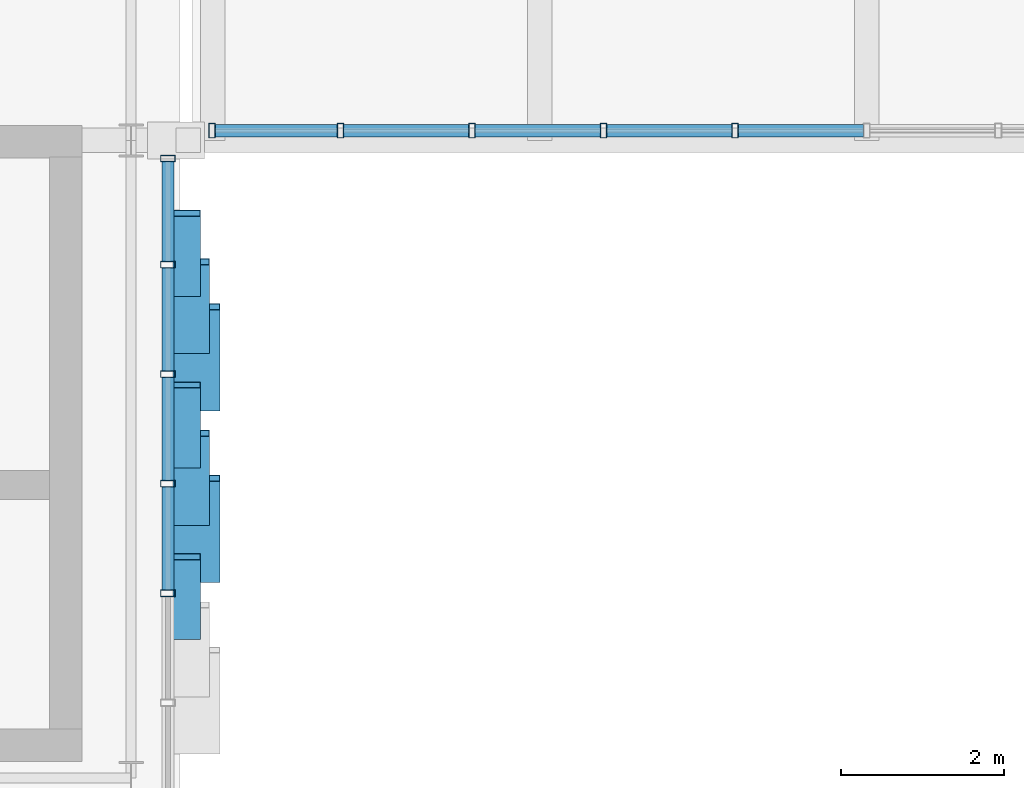
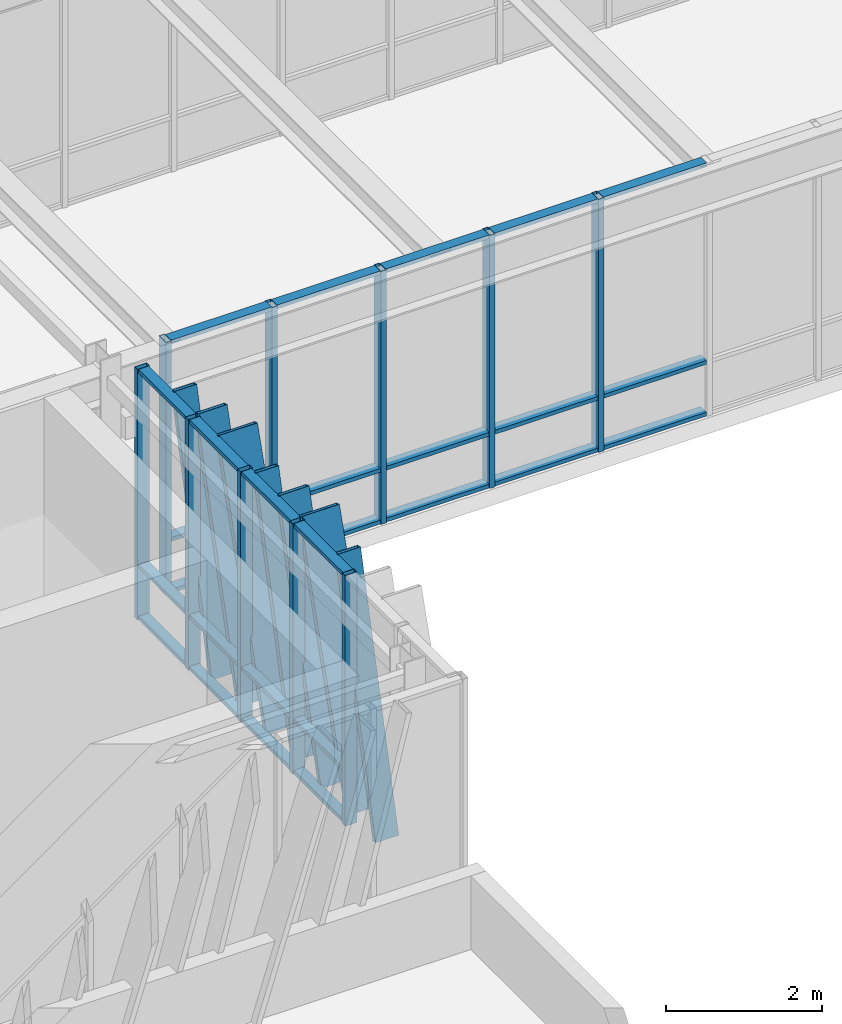
# One storey, part 54 of 127: 44 members, 2 elements without a shape of their own.
"""IFC4 building model written with IfcOpenShell, lengths in metres."""

from ifc_helpers import new_model, si_unit, direction, frame, origin, origin_2d, place, context, subcontext, project, spatial, hollow_rectangle, extrude, material, layer, layer_set, material_profile, profile_set, type_object, element, aggregate, save


model = new_model("IFC4")

# Units and contexts
model_context = context("Model", 3, precision=1e-05, world=origin(), true_north=direction((0.0, 1.0)))
body_context = subcontext(model_context, "Body", "Model", "MODEL_VIEW")
ifc_project = project(units=[si_unit("LENGTHUNIT", "METRE"), si_unit("AREAUNIT", "SQUARE_METRE"), si_unit("VOLUMEUNIT", "CUBIC_METRE"), si_unit("PLANEANGLEUNIT", "RADIAN"), si_unit("MASSUNIT", "GRAM", prefix="KILO")], contexts=[model_context])

# Site, building, storey
site_placement = place(None, origin())
site = spatial("IfcSite", under=ifc_project, at=site_placement, CompositionType="ELEMENT")
building_placement = place(site_placement, origin())
building = spatial("IfcBuilding", under=site, at=building_placement, Name="Zayran Congress Hotel", CompositionType="ELEMENT")
storey_placement = place(building_placement, frame((0.0, 0.0, 10.800048828125)))
storey = spatial("IfcBuildingStorey", under=building, at=storey_placement, Name="L02", CompositionType="ELEMENT", Elevation=10.800048828125)

# Curtain wall, members
ifc_material_1 = material(Name="Anodised aluminium and low-E insulated glass", Category="aluminium")
ifc_layer_1 = layer(ifc_material_1, 0.179931640625)
ifc_layer_set_1 = layer_set([ifc_layer_1], Name="Anodised aluminium and low-E insulated glass")
curtain_wall_type_1 = type_object("IfcCurtainWallType", Name="CW-V1E-L02-CW-41-8040-3920", PredefinedType="USERDEFINED", material=ifc_layer_set_1)
curtain_wall_1_placement = place(storey_placement, origin())
curtain_wall_1 = element("IfcCurtainWall", 1, at=curtain_wall_1_placement, inside=storey, type_object=curtain_wall_type_1, Name="CW-V1E-L02-0", ObjectType="CURTAIN WALL", PredefinedType="USERDEFINED")
ifc_material_2 = material(Name="Anodised aluminium framing", Category="aluminium")
ifc_material_profile_1 = material_profile(ifc_material_2, hollow_rectangle(XDim=0.080078125, YDim=0.179931640625, WallThickness=0.0048828125, at=origin_2d()), Name="RHS 180x80x5")
ifc_profile_set_1 = profile_set([ifc_material_profile_1], Name="Anodised aluminium framing")
member_type_1 = type_object("IfcMemberType", Name="TP-CWM-01", PredefinedType="MULLION", material=ifc_profile_set_1)
member_1_placement = place(storey_placement, frame((92.25, 70.4599609375, 0.0), z_axis=(0.0, 0.0, 1.0), x_axis=(0.0, 1.0, 0.0)))
member_1 = element("IfcMember", 2, at=member_1_placement, type_object=member_type_1, Name="CW-V1E-L02-0-M02", PredefinedType="MULLION", context=body_context, shape_type="SweptSolid", body=[
    extrude(hollow_rectangle(XDim=0.080078125, YDim=0.179931640625, WallThickness=0.0048828125, at=origin_2d()), origin(), (0.0, 0.0, 1.0), 3.919921875),
])
member_2_placement = place(storey_placement, frame((92.25, 71.800048828125, 0.0), z_axis=(0.0, 0.0, 1.0), x_axis=(0.0, 1.0, 0.0)))
member_2 = element("IfcMember", 3, at=member_2_placement, type_object=member_type_1, Name="CW-V1E-L02-0-M03", PredefinedType="MULLION", context=body_context, shape_type="SweptSolid", body=[
    extrude(hollow_rectangle(XDim=0.080078125, YDim=0.179931640625, WallThickness=0.0048828125, at=origin_2d()), origin(), (0.0, 0.0, 1.0), 3.919921875),
])
member_3_placement = place(storey_placement, frame((92.25, 73.139892578125, 0.0), z_axis=(0.0, 0.0, 1.0), x_axis=(0.0, 1.0, 0.0)))
member_3 = element("IfcMember", 4, at=member_3_placement, type_object=member_type_1, Name="CW-V1E-L02-0-M04", PredefinedType="MULLION", context=body_context, shape_type="SweptSolid", body=[
    extrude(hollow_rectangle(XDim=0.080078125, YDim=0.179931640625, WallThickness=0.0048828125, at=origin_2d()), origin(), (0.0, 0.0, 1.0), 3.919921875),
])
member_4_placement = place(storey_placement, frame((92.25, 74.47998046875, 0.0), z_axis=(0.0, 0.0, 1.0), x_axis=(0.0, 1.0, 0.0)))
member_4 = element("IfcMember", 5, at=member_4_placement, type_object=member_type_1, Name="CW-V1E-L02-0-M05", PredefinedType="MULLION", context=body_context, shape_type="SweptSolid", body=[
    extrude(hollow_rectangle(XDim=0.080078125, YDim=0.179931640625, WallThickness=0.0048828125, at=origin_2d()), origin(), (0.0, 0.0, 1.0), 3.919921875),
])
member_5_placement = place(storey_placement, frame((92.25, 75.780029296875, 0.0), z_axis=(0.0, 0.0, 1.0), x_axis=(0.0, 1.0, 0.0)))
member_5 = element("IfcMember", 6, at=member_5_placement, type_object=member_type_1, Name="CW-V1E-L02-0-M06", PredefinedType="MULLION", context=body_context, shape_type="SweptSolid", body=[
    extrude(hollow_rectangle(XDim=0.080078125, YDim=0.179931640625, WallThickness=0.0048828125, at=origin_2d()), origin(), (0.0, 0.0, 1.0), 3.919921875),
])

ifc_layer_2 = layer(ifc_material_1, 0.179931640625)
ifc_layer_set_2 = layer_set([ifc_layer_2], Name="Anodised aluminium and low-E insulated glass")
curtain_wall_type_2 = type_object("IfcCurtainWallType", Name="CW-BR1-L02-CW-BR1-16100-3960", PredefinedType="USERDEFINED", material=ifc_layer_set_2)
curtain_wall_2_placement = place(storey_placement, origin())
curtain_wall_2 = element("IfcCurtainWall", 7, at=curtain_wall_2_placement, inside=storey, type_object=curtain_wall_type_2, Name="CW-BR1S-L02", ObjectType="CURTAIN WALL", PredefinedType="USERDEFINED")
member_6_placement = place(storey_placement, frame((92.7900390625, 76.1201171875, 0.0), z_axis=(0.0, 0.0, 1.0), x_axis=(1.0, 0.0, 0.0)))
member_6 = element("IfcMember", 8, at=member_6_placement, type_object=member_type_1, Name="CW-BR1S-L02-M00", PredefinedType="MULLION", context=body_context, shape_type="SweptSolid", body=[
    extrude(hollow_rectangle(XDim=0.080078125, YDim=0.179931640625, WallThickness=0.0048828125, at=origin_2d()), origin(), (0.0, 0.0, 1.0), 3.9599609375),
])
member_7_placement = place(storey_placement, frame((94.360107421875, 76.1201171875, 0.0), z_axis=(0.0, 0.0, 1.0), x_axis=(1.0, 0.0, 0.0)))
member_7 = element("IfcMember", 9, at=member_7_placement, type_object=member_type_1, Name="CW-BR1S-L02-M01", PredefinedType="MULLION", context=body_context, shape_type="SweptSolid", body=[
    extrude(hollow_rectangle(XDim=0.080078125, YDim=0.179931640625, WallThickness=0.0048828125, at=origin_2d()), origin(), (0.0, 0.0, 1.0), 3.9599609375),
])
member_8_placement = place(storey_placement, frame((95.969970703125, 76.1201171875, 0.0), z_axis=(0.0, 0.0, 1.0), x_axis=(1.0, 0.0, 0.0)))
member_8 = element("IfcMember", 10, at=member_8_placement, type_object=member_type_1, Name="CW-BR1S-L02-M02", PredefinedType="MULLION", context=body_context, shape_type="SweptSolid", body=[
    extrude(hollow_rectangle(XDim=0.080078125, YDim=0.179931640625, WallThickness=0.0048828125, at=origin_2d()), origin(), (0.0, 0.0, 1.0), 3.9599609375),
])
member_9_placement = place(storey_placement, frame((97.580078125, 76.1201171875, 0.0), z_axis=(0.0, 0.0, 1.0), x_axis=(1.0, 0.0, 0.0)))
member_9 = element("IfcMember", 11, at=member_9_placement, type_object=member_type_1, Name="CW-BR1S-L02-M03", PredefinedType="MULLION", context=body_context, shape_type="SweptSolid", body=[
    extrude(hollow_rectangle(XDim=0.080078125, YDim=0.179931640625, WallThickness=0.0048828125, at=origin_2d()), origin(), (0.0, 0.0, 1.0), 3.9599609375),
])
member_10_placement = place(storey_placement, frame((99.18994140625, 76.1201171875, 0.0), z_axis=(0.0, 0.0, 1.0), x_axis=(1.0, 0.0, 0.0)))
member_10 = element("IfcMember", 12, at=member_10_placement, type_object=member_type_1, Name="CW-BR1S-L02-M04", PredefinedType="MULLION", context=body_context, shape_type="SweptSolid", body=[
    extrude(hollow_rectangle(XDim=0.080078125, YDim=0.179931640625, WallThickness=0.0048828125, at=origin_2d()), origin(), (0.0, 0.0, 1.0), 3.9599609375),
])

# Member
ifc_material_profile_2 = material_profile(ifc_material_2, hollow_rectangle(XDim=0.06005859375, YDim=0.14990234375, WallThickness=0.00390625, at=origin_2d()), Name="RHS 150x60x4")
ifc_profile_set_2 = profile_set([ifc_material_profile_2], Name="Anodised aluminium framing")
member_type_2 = type_object("IfcMemberType", Name="TP-CWT-01", PredefinedType="USERDEFINED", material=ifc_profile_set_2)
member_11_placement = place(storey_placement, frame((92.25, 70.5, 0.030029296875), z_axis=(0.0, 1.0, 0.0), x_axis=(0.0, 0.0, 1.0)))
member_11 = element("IfcMember", 13, at=member_11_placement, type_object=member_type_2, Name="CW-V1E-L02-0-T02-0", ObjectType="TRANSOM", PredefinedType="USERDEFINED", context=body_context, shape_type="SweptSolid", body=[
    extrude(hollow_rectangle(XDim=0.06005859375, YDim=0.14990234375, WallThickness=0.00390625, at=origin_2d()), origin(), (0.0, 0.0, 1.0), 1.260009765625),
])

member_12_placement = place(storey_placement, frame((92.25, 70.5, 0.83984375), z_axis=(0.0, 1.0, 0.0), x_axis=(0.0, 0.0, 1.0)))
member_12 = element("IfcMember", 14, at=member_12_placement, type_object=member_type_2, Name="CW-V1E-L02-0-T02-1", ObjectType="TRANSOM", PredefinedType="USERDEFINED", context=body_context, shape_type="SweptSolid", body=[
    extrude(hollow_rectangle(XDim=0.06005859375, YDim=0.14990234375, WallThickness=0.00390625, at=origin_2d()), origin(), (0.0, 0.0, 1.0), 1.260009765625),
])

member_13_placement = place(storey_placement, frame((92.25, 70.5, 3.889892578125), z_axis=(0.0, 1.0, 0.0), x_axis=(0.0, 0.0, 1.0)))
member_13 = element("IfcMember", 15, at=member_13_placement, type_object=member_type_2, Name="CW-V1E-L02-0-T02-2", ObjectType="TRANSOM", PredefinedType="USERDEFINED", context=body_context, shape_type="SweptSolid", body=[
    extrude(hollow_rectangle(XDim=0.06005859375, YDim=0.14990234375, WallThickness=0.00390625, at=origin_2d()), origin(), (0.0, 0.0, 1.0), 1.260009765625),
])

member_14_placement = place(storey_placement, frame((92.25, 71.840087890625, 0.030029296875), z_axis=(0.0, 1.0, 0.0), x_axis=(0.0, 0.0, 1.0)))
member_14 = element("IfcMember", 16, at=member_14_placement, type_object=member_type_2, Name="CW-V1E-L02-0-T03-0", ObjectType="TRANSOM", PredefinedType="USERDEFINED", context=body_context, shape_type="SweptSolid", body=[
    extrude(hollow_rectangle(XDim=0.06005859375, YDim=0.14990234375, WallThickness=0.00390625, at=origin_2d()), origin(), (0.0, 0.0, 1.0), 1.260009765625),
])

member_15_placement = place(storey_placement, frame((92.25, 71.840087890625, 0.83984375), z_axis=(0.0, 1.0, 0.0), x_axis=(0.0, 0.0, 1.0)))
member_15 = element("IfcMember", 17, at=member_15_placement, type_object=member_type_2, Name="CW-V1E-L02-0-T03-1", ObjectType="TRANSOM", PredefinedType="USERDEFINED", context=body_context, shape_type="SweptSolid", body=[
    extrude(hollow_rectangle(XDim=0.06005859375, YDim=0.14990234375, WallThickness=0.00390625, at=origin_2d()), origin(), (0.0, 0.0, 1.0), 1.260009765625),
])

member_16_placement = place(storey_placement, frame((92.25, 71.840087890625, 3.889892578125), z_axis=(0.0, 1.0, 0.0), x_axis=(0.0, 0.0, 1.0)))
member_16 = element("IfcMember", 18, at=member_16_placement, type_object=member_type_2, Name="CW-V1E-L02-0-T03-2", ObjectType="TRANSOM", PredefinedType="USERDEFINED", context=body_context, shape_type="SweptSolid", body=[
    extrude(hollow_rectangle(XDim=0.06005859375, YDim=0.14990234375, WallThickness=0.00390625, at=origin_2d()), origin(), (0.0, 0.0, 1.0), 1.260009765625),
])

member_17_placement = place(storey_placement, frame((92.25, 73.179931640625, 0.030029296875), z_axis=(0.0, 1.0, 0.0), x_axis=(0.0, 0.0, 1.0)))
member_17 = element("IfcMember", 19, at=member_17_placement, type_object=member_type_2, Name="CW-V1E-L02-0-T04-0", ObjectType="TRANSOM", PredefinedType="USERDEFINED", context=body_context, shape_type="SweptSolid", body=[
    extrude(hollow_rectangle(XDim=0.06005859375, YDim=0.14990234375, WallThickness=0.00390625, at=origin_2d()), origin(), (0.0, 0.0, 1.0), 1.260009765625),
])

member_18_placement = place(storey_placement, frame((92.25, 73.179931640625, 0.83984375), z_axis=(0.0, 1.0, 0.0), x_axis=(0.0, 0.0, 1.0)))
member_18 = element("IfcMember", 20, at=member_18_placement, type_object=member_type_2, Name="CW-V1E-L02-0-T04-1", ObjectType="TRANSOM", PredefinedType="USERDEFINED", context=body_context, shape_type="SweptSolid", body=[
    extrude(hollow_rectangle(XDim=0.06005859375, YDim=0.14990234375, WallThickness=0.00390625, at=origin_2d()), origin(), (0.0, 0.0, 1.0), 1.260009765625),
])

member_19_placement = place(storey_placement, frame((92.25, 73.179931640625, 3.889892578125), z_axis=(0.0, 1.0, 0.0), x_axis=(0.0, 0.0, 1.0)))
member_19 = element("IfcMember", 21, at=member_19_placement, type_object=member_type_2, Name="CW-V1E-L02-0-T04-2", ObjectType="TRANSOM", PredefinedType="USERDEFINED", context=body_context, shape_type="SweptSolid", body=[
    extrude(hollow_rectangle(XDim=0.06005859375, YDim=0.14990234375, WallThickness=0.00390625, at=origin_2d()), origin(), (0.0, 0.0, 1.0), 1.260009765625),
])

member_20_placement = place(storey_placement, frame((92.25, 74.52001953125, 0.030029296875), z_axis=(0.0, 1.0, 0.0), x_axis=(0.0, 0.0, 1.0)))
member_20 = element("IfcMember", 22, at=member_20_placement, type_object=member_type_2, Name="CW-V1E-L02-0-T05-0", ObjectType="TRANSOM", PredefinedType="USERDEFINED", context=body_context, shape_type="SweptSolid", body=[
    extrude(hollow_rectangle(XDim=0.06005859375, YDim=0.14990234375, WallThickness=0.00390625, at=origin_2d()), origin(), (0.0, 0.0, 1.0), 1.219970703125),
])

member_21_placement = place(storey_placement, frame((92.25, 74.52001953125, 0.83984375), z_axis=(0.0, 1.0, 0.0), x_axis=(0.0, 0.0, 1.0)))
member_21 = element("IfcMember", 23, at=member_21_placement, type_object=member_type_2, Name="CW-V1E-L02-0-T05-1", ObjectType="TRANSOM", PredefinedType="USERDEFINED", context=body_context, shape_type="SweptSolid", body=[
    extrude(hollow_rectangle(XDim=0.06005859375, YDim=0.14990234375, WallThickness=0.00390625, at=origin_2d()), origin(), (0.0, 0.0, 1.0), 1.219970703125),
])

member_22_placement = place(storey_placement, frame((92.25, 74.52001953125, 3.889892578125), z_axis=(0.0, 1.0, 0.0), x_axis=(0.0, 0.0, 1.0)))
member_22 = element("IfcMember", 24, at=member_22_placement, type_object=member_type_2, Name="CW-V1E-L02-0-T05-2", ObjectType="TRANSOM", PredefinedType="USERDEFINED", context=body_context, shape_type="SweptSolid", body=[
    extrude(hollow_rectangle(XDim=0.06005859375, YDim=0.14990234375, WallThickness=0.00390625, at=origin_2d()), origin(), (0.0, 0.0, 1.0), 1.219970703125),
])

member_23_placement = place(storey_placement, frame((92.830078125, 76.1201171875, 0.030029296875), z_axis=(1.0, 0.0, 0.0), x_axis=(0.0, 0.0, 1.0)))
member_23 = element("IfcMember", 25, at=member_23_placement, type_object=member_type_2, Name="CW-BR1S-L02-T00-0", ObjectType="TRANSOM", PredefinedType="USERDEFINED", context=body_context, shape_type="SweptSolid", body=[
    extrude(hollow_rectangle(XDim=0.06005859375, YDim=0.14990234375, WallThickness=0.00390625, at=origin_2d()), origin(), (0.0, 0.0, 1.0), 1.489990234375),
])

member_24_placement = place(storey_placement, frame((92.830078125, 76.1201171875, 0.83984375), z_axis=(1.0, 0.0, 0.0), x_axis=(0.0, 0.0, 1.0)))
member_24 = element("IfcMember", 26, at=member_24_placement, type_object=member_type_2, Name="CW-BR1S-L02-T00-1", ObjectType="TRANSOM", PredefinedType="USERDEFINED", context=body_context, shape_type="SweptSolid", body=[
    extrude(hollow_rectangle(XDim=0.06005859375, YDim=0.14990234375, WallThickness=0.00390625, at=origin_2d()), origin(), (0.0, 0.0, 1.0), 1.489990234375),
])

member_25_placement = place(storey_placement, frame((92.830078125, 76.1201171875, 3.929931640625), z_axis=(1.0, 0.0, 0.0), x_axis=(0.0, 0.0, 1.0)))
member_25 = element("IfcMember", 27, at=member_25_placement, type_object=member_type_2, Name="CW-BR1S-L02-T00-2", ObjectType="TRANSOM", PredefinedType="USERDEFINED", context=body_context, shape_type="SweptSolid", body=[
    extrude(hollow_rectangle(XDim=0.06005859375, YDim=0.14990234375, WallThickness=0.00390625, at=origin_2d()), origin(), (0.0, 0.0, 1.0), 1.489990234375),
])

member_26_placement = place(storey_placement, frame((94.39990234375, 76.1201171875, 0.030029296875), z_axis=(1.0, 0.0, 0.0), x_axis=(0.0, 0.0, 1.0)))
member_26 = element("IfcMember", 28, at=member_26_placement, type_object=member_type_2, Name="CW-BR1S-L02-T01-0", ObjectType="TRANSOM", PredefinedType="USERDEFINED", context=body_context, shape_type="SweptSolid", body=[
    extrude(hollow_rectangle(XDim=0.06005859375, YDim=0.14990234375, WallThickness=0.00390625, at=origin_2d()), origin(), (0.0, 0.0, 1.0), 1.530029296875),
])

member_27_placement = place(storey_placement, frame((94.39990234375, 76.1201171875, 0.83984375), z_axis=(1.0, 0.0, 0.0), x_axis=(0.0, 0.0, 1.0)))
member_27 = element("IfcMember", 29, at=member_27_placement, type_object=member_type_2, Name="CW-BR1S-L02-T01-1", ObjectType="TRANSOM", PredefinedType="USERDEFINED", context=body_context, shape_type="SweptSolid", body=[
    extrude(hollow_rectangle(XDim=0.06005859375, YDim=0.14990234375, WallThickness=0.00390625, at=origin_2d()), origin(), (0.0, 0.0, 1.0), 1.530029296875),
])

member_28_placement = place(storey_placement, frame((94.39990234375, 76.1201171875, 3.929931640625), z_axis=(1.0, 0.0, 0.0), x_axis=(0.0, 0.0, 1.0)))
member_28 = element("IfcMember", 30, at=member_28_placement, type_object=member_type_2, Name="CW-BR1S-L02-T01-2", ObjectType="TRANSOM", PredefinedType="USERDEFINED", context=body_context, shape_type="SweptSolid", body=[
    extrude(hollow_rectangle(XDim=0.06005859375, YDim=0.14990234375, WallThickness=0.00390625, at=origin_2d()), origin(), (0.0, 0.0, 1.0), 1.530029296875),
])

member_29_placement = place(storey_placement, frame((96.010009765625, 76.1201171875, 0.030029296875), z_axis=(1.0, 0.0, 0.0), x_axis=(0.0, 0.0, 1.0)))
member_29 = element("IfcMember", 31, at=member_29_placement, type_object=member_type_2, Name="CW-BR1S-L02-T02-0", ObjectType="TRANSOM", PredefinedType="USERDEFINED", context=body_context, shape_type="SweptSolid", body=[
    extrude(hollow_rectangle(XDim=0.06005859375, YDim=0.14990234375, WallThickness=0.00390625, at=origin_2d()), origin(), (0.0, 0.0, 1.0), 1.530029296875),
])

member_30_placement = place(storey_placement, frame((96.010009765625, 76.1201171875, 0.83984375), z_axis=(1.0, 0.0, 0.0), x_axis=(0.0, 0.0, 1.0)))
member_30 = element("IfcMember", 32, at=member_30_placement, type_object=member_type_2, Name="CW-BR1S-L02-T02-1", ObjectType="TRANSOM", PredefinedType="USERDEFINED", context=body_context, shape_type="SweptSolid", body=[
    extrude(hollow_rectangle(XDim=0.06005859375, YDim=0.14990234375, WallThickness=0.00390625, at=origin_2d()), origin(), (0.0, 0.0, 1.0), 1.530029296875),
])

member_31_placement = place(storey_placement, frame((96.010009765625, 76.1201171875, 3.929931640625), z_axis=(1.0, 0.0, 0.0), x_axis=(0.0, 0.0, 1.0)))
member_31 = element("IfcMember", 33, at=member_31_placement, type_object=member_type_2, Name="CW-BR1S-L02-T02-2", ObjectType="TRANSOM", PredefinedType="USERDEFINED", context=body_context, shape_type="SweptSolid", body=[
    extrude(hollow_rectangle(XDim=0.06005859375, YDim=0.14990234375, WallThickness=0.00390625, at=origin_2d()), origin(), (0.0, 0.0, 1.0), 1.530029296875),
])

member_32_placement = place(storey_placement, frame((97.6201171875, 76.1201171875, 0.030029296875), z_axis=(1.0, 0.0, 0.0), x_axis=(0.0, 0.0, 1.0)))
member_32 = element("IfcMember", 34, at=member_32_placement, type_object=member_type_2, Name="CW-BR1S-L02-T03-0", ObjectType="TRANSOM", PredefinedType="USERDEFINED", context=body_context, shape_type="SweptSolid", body=[
    extrude(hollow_rectangle(XDim=0.06005859375, YDim=0.14990234375, WallThickness=0.00390625, at=origin_2d()), origin(), (0.0, 0.0, 1.0), 1.52978515625),
])

member_33_placement = place(storey_placement, frame((97.6201171875, 76.1201171875, 0.83984375), z_axis=(1.0, 0.0, 0.0), x_axis=(0.0, 0.0, 1.0)))
member_33 = element("IfcMember", 35, at=member_33_placement, type_object=member_type_2, Name="CW-BR1S-L02-T03-1", ObjectType="TRANSOM", PredefinedType="USERDEFINED", context=body_context, shape_type="SweptSolid", body=[
    extrude(hollow_rectangle(XDim=0.06005859375, YDim=0.14990234375, WallThickness=0.00390625, at=origin_2d()), origin(), (0.0, 0.0, 1.0), 1.52978515625),
])

member_34_placement = place(storey_placement, frame((97.6201171875, 76.1201171875, 3.929931640625), z_axis=(1.0, 0.0, 0.0), x_axis=(0.0, 0.0, 1.0)))
member_34 = element("IfcMember", 36, at=member_34_placement, type_object=member_type_2, Name="CW-BR1S-L02-T03-2", ObjectType="TRANSOM", PredefinedType="USERDEFINED", context=body_context, shape_type="SweptSolid", body=[
    extrude(hollow_rectangle(XDim=0.06005859375, YDim=0.14990234375, WallThickness=0.00390625, at=origin_2d()), origin(), (0.0, 0.0, 1.0), 1.52978515625),
])

member_35_placement = place(storey_placement, frame((99.22998046875, 76.1201171875, 0.030029296875), z_axis=(1.0, 0.0, 0.0), x_axis=(0.0, 0.0, 1.0)))
member_35 = element("IfcMember", 37, at=member_35_placement, type_object=member_type_2, Name="CW-BR1S-L02-T04-0", ObjectType="TRANSOM", PredefinedType="USERDEFINED", context=body_context, shape_type="SweptSolid", body=[
    extrude(hollow_rectangle(XDim=0.06005859375, YDim=0.14990234375, WallThickness=0.00390625, at=origin_2d()), origin(), (0.0, 0.0, 1.0), 1.530029296875),
])

member_36_placement = place(storey_placement, frame((99.22998046875, 76.1201171875, 0.83984375), z_axis=(1.0, 0.0, 0.0), x_axis=(0.0, 0.0, 1.0)))
member_36 = element("IfcMember", 38, at=member_36_placement, type_object=member_type_2, Name="CW-BR1S-L02-T04-1", ObjectType="TRANSOM", PredefinedType="USERDEFINED", context=body_context, shape_type="SweptSolid", body=[
    extrude(hollow_rectangle(XDim=0.06005859375, YDim=0.14990234375, WallThickness=0.00390625, at=origin_2d()), origin(), (0.0, 0.0, 1.0), 1.530029296875),
])

member_37_placement = place(storey_placement, frame((99.22998046875, 76.1201171875, 3.929931640625), z_axis=(1.0, 0.0, 0.0), x_axis=(0.0, 0.0, 1.0)))
member_37 = element("IfcMember", 39, at=member_37_placement, type_object=member_type_2, Name="CW-BR1S-L02-T04-2", ObjectType="TRANSOM", PredefinedType="USERDEFINED", context=body_context, shape_type="SweptSolid", body=[
    extrude(hollow_rectangle(XDim=0.06005859375, YDim=0.14990234375, WallThickness=0.00390625, at=origin_2d()), origin(), (0.0, 0.0, 1.0), 1.530029296875),
])

aggregate(curtain_wall_2, [member_6, member_7, member_8, member_9, member_10, member_23, member_24, member_25, member_26, member_27, member_28, member_29, member_30, member_31, member_32, member_33, member_34, member_35, member_36, member_37])

ifc_material_3 = material(Name="Warm bronze anodised aluminium", Category="aluminium")
ifc_material_profile_3 = material_profile(ifc_material_3, hollow_rectangle(XDim=0.080078125, YDim=0.580078125, WallThickness=0.006103515625, at=origin_2d()), Name="RHS 580x80x6")
ifc_profile_set_3 = profile_set([ifc_material_profile_3], Name="Warm bronze anodised aluminium")
member_type_3 = type_object("IfcMemberType", Name="TP-RFN-01", PredefinedType="MULLION", material=ifc_profile_set_3)
member_38_placement = place(storey_placement, frame((92.60009765625, 70.6298828125, 0.0), z_axis=(0.0, 0.300736197829, 0.953707365661), x_axis=(0.0, -0.953707365661, 0.300736197829)))
member_38 = element("IfcMember", 40, at=member_38_placement, type_object=member_type_3, Name="Slanting Reed Mullion CW-41-04", PredefinedType="MULLION", context=body_context, shape_type="SweptSolid", body=[
    extrude(hollow_rectangle(XDim=0.080078125, YDim=0.580078125, WallThickness=0.006103515625, at=origin_2d()), origin(), (0.0, 0.0, 1.0), 4.110107421875),
])

member_39_placement = place(storey_placement, frame((92.60009765625, 72.72998046875, 0.0), z_axis=(0.0, 0.300736197829, 0.953707365661), x_axis=(0.0, -0.953707365661, 0.300736197829)))
member_39 = element("IfcMember", 41, at=member_39_placement, type_object=member_type_3, Name="Slanting Reed Mullion CW-41-07", PredefinedType="MULLION", context=body_context, shape_type="SweptSolid", body=[
    extrude(hollow_rectangle(XDim=0.080078125, YDim=0.580078125, WallThickness=0.006103515625, at=origin_2d()), origin(), (0.0, 0.0, 1.0), 4.110107421875),
])

ifc_material_profile_4 = material_profile(ifc_material_3, hollow_rectangle(XDim=0.080078125, YDim=0.449951171875, WallThickness=0.006103515625, at=origin_2d()), Name="RHS 450x80x6")
ifc_profile_set_4 = profile_set([ifc_material_profile_4], Name="Warm bronze anodised aluminium")
member_type_4 = type_object("IfcMemberType", Name="TP-RFN-02", PredefinedType="MULLION", material=ifc_profile_set_4)
member_40_placement = place(storey_placement, frame((92.534912109375, 71.330078125, 0.0), z_axis=(0.0, 0.26719808883, 0.963641624944), x_axis=(0.0, -0.963641624944, 0.26719808883)))
member_40 = element("IfcMember", 42, at=member_40_placement, type_object=member_type_4, Name="Slanting Reed Mullion CW-41-05", PredefinedType="MULLION", context=body_context, shape_type="SweptSolid", body=[
    extrude(hollow_rectangle(XDim=0.080078125, YDim=0.449951171875, WallThickness=0.006103515625, at=origin_2d()), origin(), (0.0, 0.0, 1.0), 4.06787109375),
])

member_41_placement = place(storey_placement, frame((92.534912109375, 73.429931640625, 0.0), z_axis=(0.0, 0.267253820088, 0.963626170072), x_axis=(0.0, -0.963626170072, 0.267253820088)))
member_41 = element("IfcMember", 43, at=member_41_placement, type_object=member_type_4, Name="Slanting Reed Mullion CW-41-08", PredefinedType="MULLION", context=body_context, shape_type="SweptSolid", body=[
    extrude(hollow_rectangle(XDim=0.080078125, YDim=0.449951171875, WallThickness=0.006103515625, at=origin_2d()), origin(), (0.0, 0.0, 1.0), 4.06787109375),
])

ifc_material_profile_5 = material_profile(ifc_material_3, hollow_rectangle(XDim=0.080078125, YDim=0.340087890625, WallThickness=0.006103515625, at=origin_2d()), Name="RHS 340x80x6")
ifc_profile_set_5 = profile_set([ifc_material_profile_5], Name="Warm bronze anodised aluminium")
member_type_5 = type_object("IfcMemberType", Name="TP-RFN-03", PredefinedType="MULLION", material=ifc_profile_set_5)
member_42_placement = place(storey_placement, frame((92.47998046875, 69.929931640625, 0.0), z_axis=(0.0, 0.24196681843, 0.970284524652), x_axis=(0.0, -0.970284524652, 0.24196681843)))
member_42 = element("IfcMember", 44, at=member_42_placement, type_object=member_type_5, Name="Slanting Reed Mullion CW-41-03", PredefinedType="MULLION", context=body_context, shape_type="SweptSolid", body=[
    extrude(hollow_rectangle(XDim=0.080078125, YDim=0.340087890625, WallThickness=0.006103515625, at=origin_2d()), origin(), (0.0, 0.0, 1.0), 4.0400390625),
])

member_43_placement = place(storey_placement, frame((92.47998046875, 72.030029296875, 0.0), z_axis=(0.0, 0.241909924035, 0.970298711044), x_axis=(0.0, -0.970298711044, 0.241909924035)))
member_43 = element("IfcMember", 45, at=member_43_placement, type_object=member_type_5, Name="Slanting Reed Mullion CW-41-06", PredefinedType="MULLION", context=body_context, shape_type="SweptSolid", body=[
    extrude(hollow_rectangle(XDim=0.080078125, YDim=0.340087890625, WallThickness=0.006103515625, at=origin_2d()), origin(), (0.0, 0.0, 1.0), 4.039794921875),
])

member_44_placement = place(storey_placement, frame((92.47998046875, 74.1298828125, 0.0), z_axis=(0.0, 0.24196681843, 0.970284524652), x_axis=(0.0, -0.970284524652, 0.24196681843)))
member_44 = element("IfcMember", 46, at=member_44_placement, type_object=member_type_5, Name="Slanting Reed Mullion CW-41-09", PredefinedType="MULLION", context=body_context, shape_type="SweptSolid", body=[
    extrude(hollow_rectangle(XDim=0.080078125, YDim=0.340087890625, WallThickness=0.006103515625, at=origin_2d()), origin(), (0.0, 0.0, 1.0), 4.0400390625),
])

aggregate(curtain_wall_1, [member_1, member_2, member_3, member_4, member_5, member_11, member_12, member_13, member_14, member_15, member_16, member_17, member_18, member_19, member_20, member_21, member_22, member_42, member_38, member_40, member_43, member_39, member_41, member_44])

save(model, "model.ifc")
